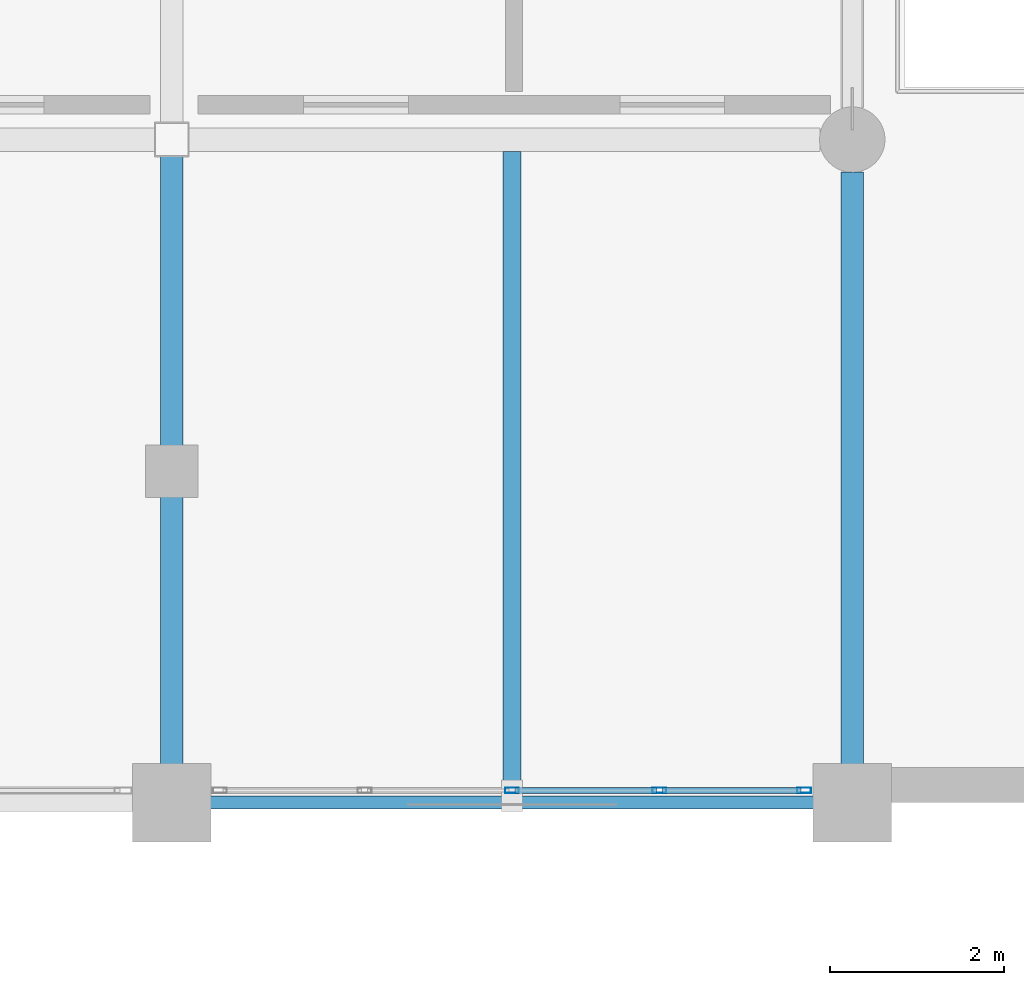
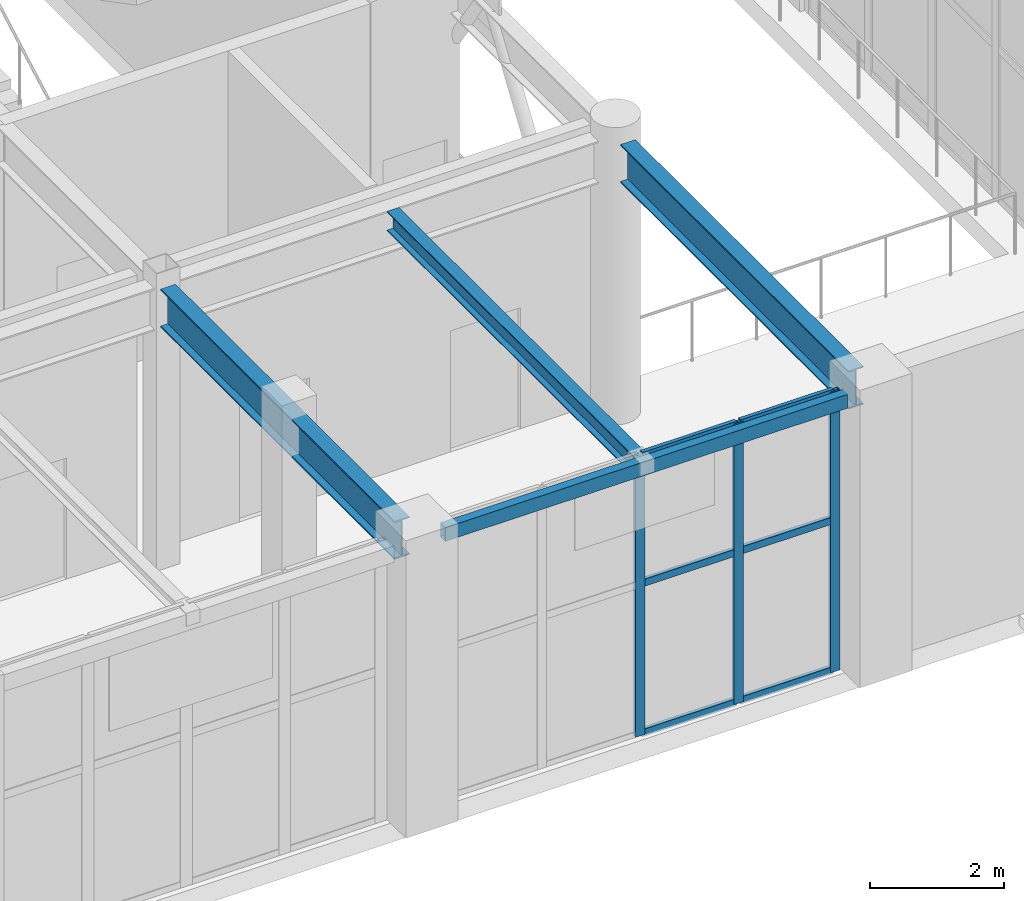
# One storey, part 95 of 139: 9 members, 4 beams, 1 element without a shape of its own.
"""IFC4 building model written with IfcOpenShell, lengths in metres."""

from ifc_helpers import new_model, si_unit, direction, frame, origin, origin_2d, place, context, subcontext, project, spatial, hollow_rectangle, i_section, extrude, material, layer, layer_set, material_profile, profile_set, type_object, element, aggregate, save


model = new_model("IFC4")

# Units and contexts
model_context = context("Model", 3, precision=1e-05, world=origin(), true_north=direction((0.0, 1.0)))
body_context = subcontext(model_context, "Body", "Model", "MODEL_VIEW")
ifc_project = project(units=[si_unit("LENGTHUNIT", "METRE"), si_unit("AREAUNIT", "SQUARE_METRE"), si_unit("VOLUMEUNIT", "CUBIC_METRE"), si_unit("PLANEANGLEUNIT", "RADIAN"), si_unit("MASSUNIT", "GRAM", prefix="KILO")], contexts=[model_context])

# Site, building, storey
site_placement = place(None, origin())
site = spatial("IfcSite", under=ifc_project, at=site_placement, CompositionType="ELEMENT")
building_placement = place(site_placement, origin())
building = spatial("IfcBuilding", under=site, at=building_placement, Name="Xicomal Pleat Aquarium", CompositionType="ELEMENT")
storey_placement = place(building_placement, origin())
storey = spatial("IfcBuildingStorey", under=building, at=storey_placement, Name="L01", CompositionType="ELEMENT", Elevation=0.0)

# Beams
ifc_material_1 = material(Name="Structural steel A992 Gr 50", Category="steel")
ifc_material_profile_1 = material_profile(ifc_material_1, i_section(OverallWidth=0.205078125, OverallDepth=0.35400390625, WebThickness=0.009521484375, FlangeThickness=0.016845703125, at=origin_2d()), Name="IR 360x79")
ifc_profile_set_1 = profile_set([ifc_material_profile_1], Name="Structural steel A992 Gr 50")
beam_type_1 = type_object("IfcBeamType", Name="BM-STL-IR360", PredefinedType="JOIST", material=ifc_profile_set_1)
beam_1_placement = place(storey_placement, frame((153.300048828125, 76.077880859375, 4.923095703125), z_axis=(0.0, 1.0, 0.0), x_axis=(-1.0, 0.0, 0.0)))
element("IfcBeam", 1, at=beam_1_placement, inside=storey, type_object=beam_type_1, Name="L01 framing beam FBJ-L01-19-L-1", PredefinedType="JOIST", context=body_context, shape_type="SweptSolid", body=[
    extrude(i_section(OverallWidth=0.205078125, OverallDepth=0.35400390625, WebThickness=0.009521484375, FlangeThickness=0.016845703125, at=origin_2d()), origin(), (0.0, 0.0, 1.0), 7.385009765625),
])
ifc_material_2 = material(Name="Structural steel A992 Gr 50", Category="steel")
ifc_material_profile_2 = material_profile(ifc_material_2, i_section(OverallWidth=0.256103515625, OverallDepth=0.693115234375, WebThickness=0.014404296875, FlangeThickness=0.023681640625, at=origin_2d()), Name="IR 690x170")
ifc_profile_set_2 = profile_set([ifc_material_profile_2], Name="Structural steel A992 Gr 50")
beam_type_2 = type_object("IfcBeamType", Name="BM-STL-IR690", PredefinedType="BEAM", material=ifc_profile_set_2)
beam_2_placement = place(storey_placement, frame((149.39990234375, 76.445068359375, 4.75341796875), z_axis=(0.0, 1.0, 0.0), x_axis=(-1.0, 0.0, 0.0)))
element("IfcBeam", 2, at=beam_2_placement, inside=storey, type_object=beam_type_2, Name="L01 framing beam FGY-L01-19-L-M", PredefinedType="BEAM", context=body_context, shape_type="SweptSolid", body=[
    extrude(i_section(OverallWidth=0.256103515625, OverallDepth=0.693115234375, WebThickness=0.014404296875, FlangeThickness=0.023681640625, at=origin_2d()), origin(), (0.0, 0.0, 1.0), 6.9599609375),
])
beam_3_placement = place(storey_placement, frame((157.199951171875, 76.445068359375, 4.75341796875), z_axis=(0.0, 1.0, 0.0), x_axis=(-1.0, 0.0, 0.0)))
element("IfcBeam", 3, at=beam_3_placement, inside=storey, type_object=beam_type_2, Name="L01 framing beam FGY-L01-20-L-M", PredefinedType="BEAM", context=body_context, shape_type="SweptSolid", body=[
    extrude(i_section(OverallWidth=0.256103515625, OverallDepth=0.693115234375, WebThickness=0.014404296875, FlangeThickness=0.023681640625, at=origin_2d()), origin(), (0.0, 0.0, 1.0), 6.784912109375),
])
ifc_material_3 = material(Name="Structural steel A500 Gr C", Category="steel")
ifc_material_profile_3 = material_profile(ifc_material_3, hollow_rectangle(XDim=0.14990234375, YDim=0.25, WallThickness=0.010009765625, at=origin_2d()), Name="OR 250x150x10")
ifc_profile_set_3 = profile_set([ifc_material_profile_3], Name="Structural steel A500 Gr C")
beam_type_3 = type_object("IfcBeamType", Name="BM-STL-OR250", PredefinedType="SPANDREL", material=ifc_profile_set_3)
beam_4_placement = place(storey_placement, frame((149.844970703125, 76.0, 4.97509765625), z_axis=(1.0, 0.0, 0.0), x_axis=(0.0, 1.0, 0.0)))
element("IfcBeam", 4, at=beam_4_placement, inside=storey, type_object=beam_type_3, Name="L01 framing beam FGX-L01-19-20-L", PredefinedType="SPANDREL", context=body_context, shape_type="SweptSolid", body=[
    extrude(hollow_rectangle(XDim=0.14990234375, YDim=0.25, WallThickness=0.010009765625, at=origin_2d()), origin(), (0.0, 0.0, 1.0), 6.909912109375),
])

# Curtain wall, members
ifc_material_4 = material(Name="Bronze anodized aluminium 6063-T6", Category="aluminium")
ifc_layer = layer(ifc_material_4, 0.159912109375)
ifc_layer_set = layer_set([ifc_layer], Name="Bronze anodized aluminium 6063-T6")
curtain_wall_type = type_object("IfcCurtainWallType", Name="CW-SYS-01", PredefinedType="NOTDEFINED", material=ifc_layer_set)
curtain_wall_placement = place(storey_placement, origin())
curtain_wall = element("IfcCurtainWall", 5, at=curtain_wall_placement, inside=storey, type_object=curtain_wall_type, Name="L01 unitised curtain wall CW-L01-066", PredefinedType="NOTDEFINED")
ifc_material_5 = material(Name="Bronze anodized aluminium 6063-T6", Category="aluminium")
ifc_material_profile_4 = material_profile(ifc_material_5, hollow_rectangle(XDim=0.06494140625, YDim=0.159912109375, WallThickness=0.00390625, at=origin_2d()), Name="ALU MULL 65x160")
ifc_profile_set_4 = profile_set([ifc_material_profile_4], Name="Bronze anodized aluminium 6063-T6")
member_type_1 = type_object("IfcMemberType", Name="CWM-65x160", PredefinedType="MULLION", material=ifc_profile_set_4)
member_1_placement = place(storey_placement, frame((156.6474609375, 76.139892578125, 0.0), z_axis=(0.0, 0.0, 1.0), x_axis=(0.0, -1.0, 0.0)))
member_1 = element("IfcMember", 6, at=member_1_placement, type_object=member_type_1, Name="CW-01 mullion 1", PredefinedType="MULLION", context=body_context, shape_type="SweptSolid", body=[
    extrude(hollow_rectangle(XDim=0.06494140625, YDim=0.159912109375, WallThickness=0.00390625, at=origin_2d()), origin(), (0.0, 0.0, 1.0), 5.10009765625),
])
member_2_placement = place(storey_placement, frame((154.989990234375, 76.139892578125, 0.0), z_axis=(0.0, 0.0, 1.0), x_axis=(0.0, -1.0, 0.0)))
member_2 = element("IfcMember", 7, at=member_2_placement, type_object=member_type_1, Name="CW-01 mullion 2", PredefinedType="MULLION", context=body_context, shape_type="SweptSolid", body=[
    extrude(hollow_rectangle(XDim=0.06494140625, YDim=0.159912109375, WallThickness=0.00390625, at=origin_2d()), origin(), (0.0, 0.0, 1.0), 5.10009765625),
])
member_3_placement = place(storey_placement, frame((153.300048828125, 76.139892578125, 0.0), z_axis=(0.0, 0.0, 1.0), x_axis=(0.0, -1.0, 0.0)))
member_3 = element("IfcMember", 8, at=member_3_placement, type_object=member_type_1, Name="CW-01 mullion 3", PredefinedType="MULLION", context=body_context, shape_type="SweptSolid", body=[
    extrude(hollow_rectangle(XDim=0.06494140625, YDim=0.159912109375, WallThickness=0.00390625, at=origin_2d()), origin(), (0.0, 0.0, 1.0), 5.10009765625),
])
ifc_material_6 = material(Name="Bronze anodized aluminium 6063-T6", Category="aluminium")
ifc_material_profile_5 = material_profile(ifc_material_6, hollow_rectangle(XDim=0.06494140625, YDim=0.1298828125, WallThickness=0.00390625, at=origin_2d()), Name="ALU TRAN 65x130")
ifc_profile_set_5 = profile_set([ifc_material_profile_5], Name="Bronze anodized aluminium 6063-T6")
member_type_2 = type_object("IfcMemberType", Name="CWT-65x130", PredefinedType="USERDEFINED", material=ifc_profile_set_5)
member_4_placement = place(storey_placement, frame((156.614990234375, 76.139892578125, 0.032470703125), z_axis=(-1.0, 0.0, 0.0), x_axis=(0.0, -1.0, 0.0)))
member_4 = element("IfcMember", 9, at=member_4_placement, type_object=member_type_2, Name="CW-01 transom 1.1", ObjectType="TRANSOM", PredefinedType="USERDEFINED", context=body_context, shape_type="SweptSolid", body=[
    extrude(hollow_rectangle(XDim=0.06494140625, YDim=0.1298828125, WallThickness=0.00390625, at=origin_2d()), origin(), (0.0, 0.0, 1.0), 1.592529296875),
])
member_5_placement = place(storey_placement, frame((156.614990234375, 76.139892578125, 2.75390625), z_axis=(-1.0, 0.0, 0.0), x_axis=(0.0, -1.0, 0.0)))
member_5 = element("IfcMember", 10, at=member_5_placement, type_object=member_type_2, Name="CW-01 transom 1.2", ObjectType="TRANSOM", PredefinedType="USERDEFINED", context=body_context, shape_type="SweptSolid", body=[
    extrude(hollow_rectangle(XDim=0.06494140625, YDim=0.1298828125, WallThickness=0.00390625, at=origin_2d()), origin(), (0.0, 0.0, 1.0), 1.592529296875),
])
member_6_placement = place(storey_placement, frame((156.614990234375, 76.139892578125, 5.0673828125), z_axis=(-1.0, 0.0, 0.0), x_axis=(0.0, -1.0, 0.0)))
member_6 = element("IfcMember", 11, at=member_6_placement, type_object=member_type_2, Name="CW-01 transom 1.3", ObjectType="TRANSOM", PredefinedType="USERDEFINED", context=body_context, shape_type="SweptSolid", body=[
    extrude(hollow_rectangle(XDim=0.06494140625, YDim=0.1298828125, WallThickness=0.00390625, at=origin_2d()), origin(), (0.0, 0.0, 1.0), 1.592529296875),
])
member_7_placement = place(storey_placement, frame((154.95751953125, 76.139892578125, 0.032470703125), z_axis=(-1.0, 0.0, 0.0), x_axis=(0.0, -1.0, 0.0)))
member_7 = element("IfcMember", 12, at=member_7_placement, type_object=member_type_2, Name="CW-01 transom 2.1", ObjectType="TRANSOM", PredefinedType="USERDEFINED", context=body_context, shape_type="SweptSolid", body=[
    extrude(hollow_rectangle(XDim=0.06494140625, YDim=0.1298828125, WallThickness=0.00390625, at=origin_2d()), origin(), (0.0, 0.0, 1.0), 1.625),
])
member_8_placement = place(storey_placement, frame((154.95751953125, 76.139892578125, 2.75390625), z_axis=(-1.0, 0.0, 0.0), x_axis=(0.0, -1.0, 0.0)))
member_8 = element("IfcMember", 13, at=member_8_placement, type_object=member_type_2, Name="CW-01 transom 2.2", ObjectType="TRANSOM", PredefinedType="USERDEFINED", context=body_context, shape_type="SweptSolid", body=[
    extrude(hollow_rectangle(XDim=0.06494140625, YDim=0.1298828125, WallThickness=0.00390625, at=origin_2d()), origin(), (0.0, 0.0, 1.0), 1.625),
])
member_9_placement = place(storey_placement, frame((154.95751953125, 76.139892578125, 5.0673828125), z_axis=(-1.0, 0.0, 0.0), x_axis=(0.0, -1.0, 0.0)))
member_9 = element("IfcMember", 14, at=member_9_placement, type_object=member_type_2, Name="CW-01 transom 2.3", ObjectType="TRANSOM", PredefinedType="USERDEFINED", context=body_context, shape_type="SweptSolid", body=[
    extrude(hollow_rectangle(XDim=0.06494140625, YDim=0.1298828125, WallThickness=0.00390625, at=origin_2d()), origin(), (0.0, 0.0, 1.0), 1.625),
])
aggregate(curtain_wall, [member_1, member_2, member_3, member_4, member_5, member_6, member_7, member_8, member_9])

save(model, "model.ifc")
